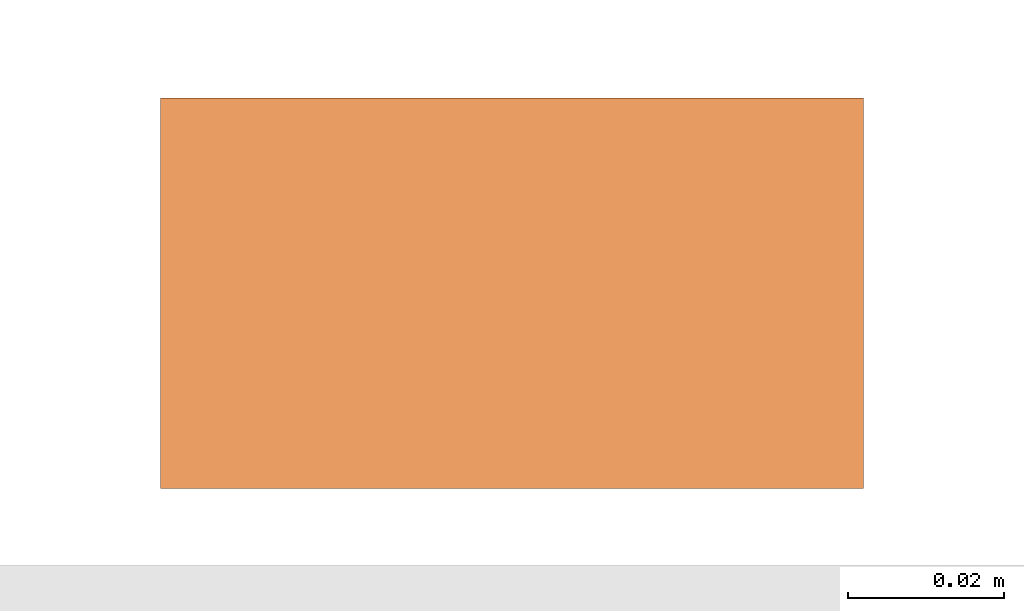
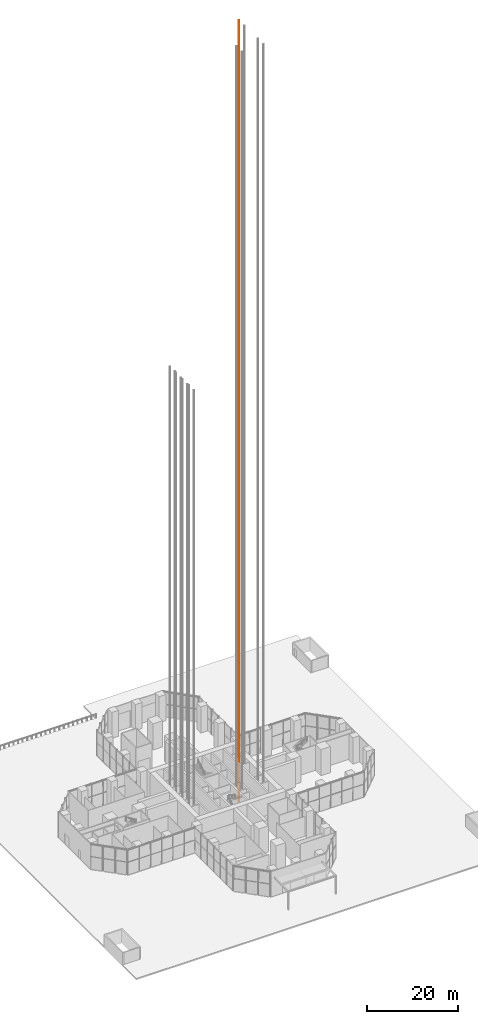
# One storey, part 43 of 43: 1 proxy.
"""IFC4 building model written with IfcOpenShell, lengths in metres."""

from ifc_helpers import new_model, si_unit, direction, frame, origin, origin_2d, place, context, subcontext, project, spatial, rectangle, extrude, material, element, save


model = new_model("IFC4")

# Units and contexts
model_context = context("Model", 3, precision=1e-05, world=origin(), true_north=direction((0.0, 1.0)))
body_context = subcontext(model_context, "Body", "Model", "MODEL_VIEW")
ifc_project = project(units=[si_unit("LENGTHUNIT", "METRE"), si_unit("AREAUNIT", "SQUARE_METRE"), si_unit("VOLUMEUNIT", "CUBIC_METRE"), si_unit("PLANEANGLEUNIT", "RADIAN"), si_unit("MASSUNIT", "GRAM", prefix="KILO")], contexts=[model_context])

# Site, building, storey
site_placement = place(None, origin())
site = spatial("IfcSite", under=ifc_project, at=site_placement, CompositionType="ELEMENT")
building_placement = place(site_placement, origin())
building = spatial("IfcBuilding", under=site, at=building_placement, Name="Mizan Broadcast Tower", CompositionType="ELEMENT")
storey_placement = place(building_placement, origin())
storey = spatial("IfcBuildingStorey", under=building, at=storey_placement, Name="L00", CompositionType="ELEMENT", Elevation=0.0)

# Proxy
ifc_material = material(Name="Steel guide rail", Category="steel")
proxy_placement = place(storey_placement, frame((8.800048828125, 5.409912109375, -5.0), z_axis=(0.0, 0.0, 1.0), x_axis=(1.0, 0.0, 0.0)))
element("IfcBuildingElementProxy", 1, at=proxy_placement, inside=storey, material=ifc_material, Name="Guide rail SH1-2", PredefinedType="NOTDEFINED", context=body_context, shape_type="SweptSolid", body=[
    extrude(rectangle(XDim=0.090087890625, YDim=0.050048828125, at=origin_2d()), origin(), (0.0, 0.0, 1.0), 209.719970703125),
])

save(model, "model.ifc")
